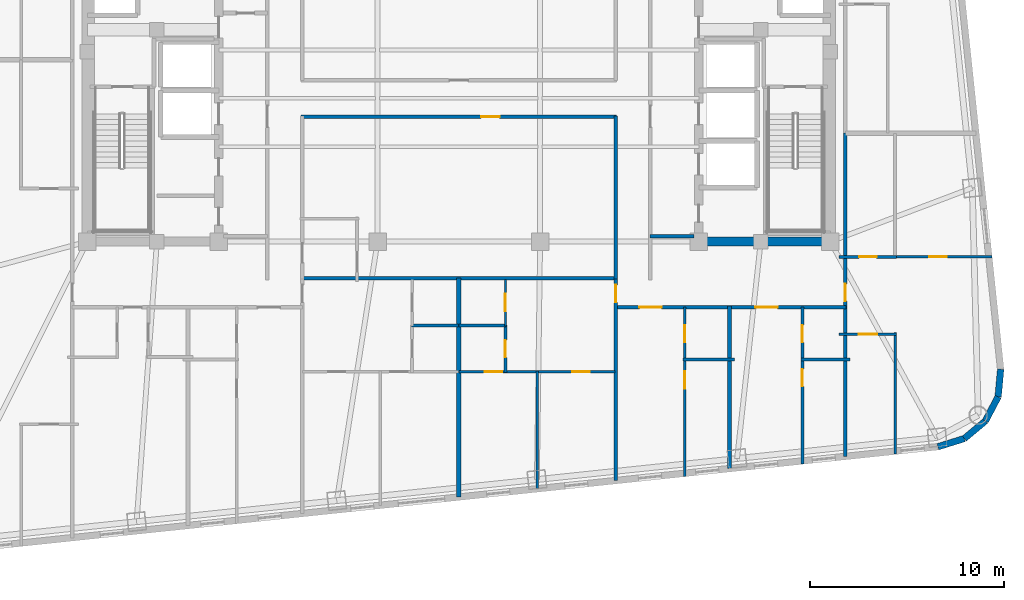
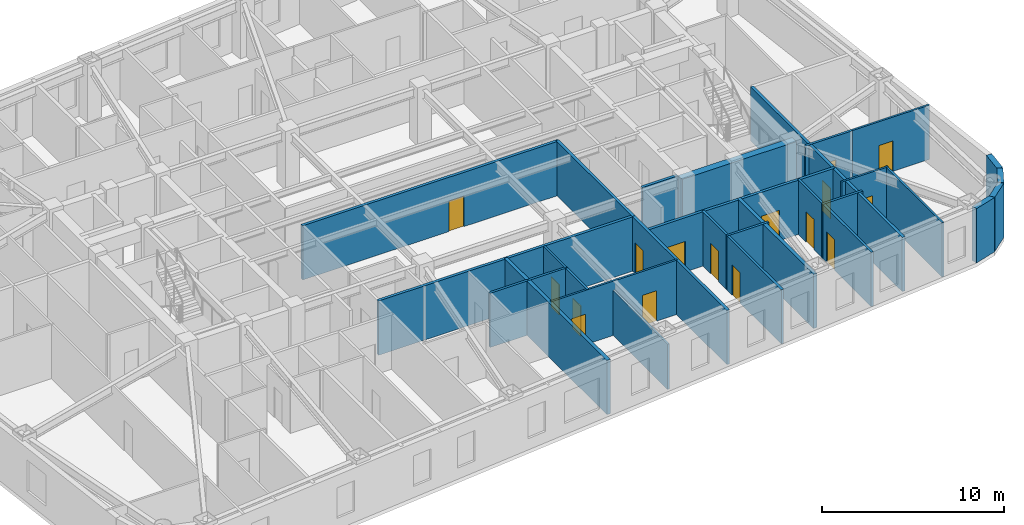
# One storey, part 5 of 11: 30 walls, 16 doors, 16 openings.
"""IFC4 building model written with IfcOpenShell, lengths in metres."""

from ifc_helpers import new_model, si_unit, direction, frame, frame_2d, origin, place, context, subcontext, project, spatial, rectangle, extrude, material, layer, layer_set, type_object, element, fill, save


model = new_model("IFC4")

# Units and contexts
model_context = context("Model", 3, precision=1e-05, world=origin(), true_north=direction((0.0, 1.0)))
body_context = subcontext(model_context, "Body", "Model", "MODEL_VIEW")
ifc_project = project(units=[si_unit("LENGTHUNIT", "METRE"), si_unit("AREAUNIT", "SQUARE_METRE"), si_unit("VOLUMEUNIT", "CUBIC_METRE"), si_unit("PLANEANGLEUNIT", "RADIAN"), si_unit("MASSUNIT", "GRAM", prefix="KILO")], contexts=[model_context])

# Site, building, storey
site_placement = place(None, origin())
site = spatial("IfcSite", under=ifc_project, at=site_placement, CompositionType="ELEMENT")
building_placement = place(site_placement, origin())
building = spatial("IfcBuilding", under=site, at=building_placement, Name="Voryun Gate Residences", CompositionType="ELEMENT")
storey_placement = place(building_placement, frame((0.0, 0.0, 175.5)))
storey = spatial("IfcBuildingStorey", under=building, at=storey_placement, Name="L43", CompositionType="ELEMENT", Elevation=175.5)

# Walls
ifc_material_1 = material(Name="Concrete C50/60", Category="concrete")
ifc_layer_1 = layer(ifc_material_1, 0.449951171875, Name="CW_CORE_450")
ifc_layer_set_1 = layer_set([ifc_layer_1], Name="Concrete C50/60")
wall_type_1 = type_object("IfcWallType", Name="CW_CORE_450", PredefinedType="SHEAR", material=ifc_layer_set_1)
wall_1_placement = place(storey_placement, frame((12.175048828125, -7.39990234375, 0.0), z_axis=(0.0, 0.0, 1.0), x_axis=(1.0, 0.0, 0.0)))
element("IfcWall", 1, at=wall_1_placement, inside=storey, type_object=wall_type_1, Name="L43 Core shear wall CW-L43-ES", PredefinedType="SHEAR", context=body_context, shape_type="SweptSolid", body=[
    extrude(rectangle(XDim=7.25, YDim=0.449951171875, at=frame_2d((3.625, 0.0))), origin(), (0.0, 0.0, 1.0), 3.64990234375),
])
ifc_material_2 = material(Name="Gypsum acoustic fireboard")
ifc_layer_2 = layer(ifc_material_2, 0.179931640625, Name="W_CORR_RATED_180")
ifc_layer_set_2 = layer_set([ifc_layer_2], Name="Gypsum acoustic fireboard")
wall_type_2 = type_object("IfcWallType", Name="W_CORR_RATED_180", PredefinedType="PARTITIONING", material=ifc_layer_set_2)
wall_2_placement = place(storey_placement, frame((9.8798828125, -7.1201171875, 0.0), z_axis=(0.0, 0.0, 1.0), x_axis=(1.0, 0.0, 0.0)))
element("IfcWall", 2, at=wall_2_placement, inside=storey, type_object=wall_type_2, Name="Partition wall WP-L43-PLBS-E", PredefinedType="PARTITIONING", context=body_context, shape_type="SweptSolid", body=[
    extrude(rectangle(XDim=2.27001953125, YDim=0.179931640625, at=frame_2d((1.135009765625, 0.0))), origin(), (0.0, 0.0, 1.0), 3.64990234375),
])
wall_3_placement = place(storey_placement, frame((-8.14990234375, -9.2900390625, 0.0), z_axis=(0.0, 0.0, 1.0), x_axis=(1.0, 0.0, 0.0)))
element("IfcWall", 3, at=wall_3_placement, inside=storey, type_object=wall_type_2, Name="Partition wall WP-L43-Z2S", PredefinedType="PARTITIONING", context=body_context, shape_type="SweptSolid", body=[
    extrude(rectangle(XDim=16.2998046875, YDim=0.179931640625, at=frame_2d((8.14990234375, 0.0))), origin(), (0.0, 0.0, 1.0), 3.64990234375),
])

# Wall, opening, door
wall_4_placement = place(storey_placement, frame((-8.14990234375, -0.93994140625, 0.0), z_axis=(0.0, 0.0, 1.0), x_axis=(1.0, 0.0, 0.0)))
wall_4 = element("IfcWall", 4, at=wall_4_placement, inside=storey, type_object=wall_type_2, Name="Partition wall WP-L43-Z2HS", PredefinedType="PARTITIONING", context=body_context, shape_type="SweptSolid", body=[
    extrude(rectangle(XDim=16.2998046875, YDim=0.179931640625, at=frame_2d((8.14990234375, 0.0))), origin(), (0.0, 0.0, 1.0), 3.64990234375),
])
opening_1_placement = place(wall_4_placement, frame((9.304931640625, 0.0, 0.0)))
opening_1 = element("IfcOpeningElement", 5, at=opening_1_placement, cuts=wall_4, Name="Opening D-INT-1", PredefinedType="OPENING", context=body_context, shape_type="SweptSolid", body=[
    extrude(rectangle(XDim=0.949951171875, YDim=2.050048828125, at=frame_2d((0.47509765625, 1.02490234375))), frame((0.0, 0.099853515625, 0.0), z_axis=(0.0, -1.0, 0.0), x_axis=(1.0, 0.0, 0.0)), (0.0, 0.0, 1.0), 0.199951171875),
])
ifc_material_3 = material(Name="Architectural oak veneer")
door_type_1 = type_object("IfcDoorType", Name="DR_INT_ROOM_950", OperationType="NOTDEFINED", PredefinedType="DOOR", material=ifc_material_3)
door_1_placement = place(opening_1_placement, origin())
door_1 = element("IfcDoor", 6, at=door_1_placement, inside=storey, type_object=door_type_1, Name="Door DR-L43-Z2SH", OperationType="SINGLE_SWING_RIGHT", OverallHeight=2.050048828125, OverallWidth=0.949951171875, PredefinedType="DOOR", context=body_context, shape_type="SweptSolid", body=[
    extrude(rectangle(XDim=0.949951171875, YDim=2.050048828125, at=frame_2d((0.47509765625, 1.02490234375))), frame((0.0, 0.02490234375, 0.0), z_axis=(0.0, -1.0, 0.0), x_axis=(1.0, 0.0, 0.0)), (0.0, 0.0, 1.0), 0.050048828125),
])
fill(opening_1, door_1)

# Wall
wall_5_placement = place(storey_placement, frame((8.10009765625, -9.330078125, 0.0), z_axis=(0.0, 0.0, 1.0), x_axis=(0.0, 1.0, 0.0)))
element("IfcWall", 7, at=wall_5_placement, inside=storey, type_object=wall_type_2, Name="Partition wall WP-L43-Z2ER2", PredefinedType="PARTITIONING", context=body_context, shape_type="SweptSolid", body=[
    extrude(rectangle(XDim=8.41015625, YDim=0.179931640625, at=frame_2d((4.205078125, 0.0))), origin(), (0.0, 0.0, 1.0), 3.64990234375),
])

# Wall, openings, doors
wall_6_placement = place(storey_placement, frame((8.080078125, -10.800048828125, 0.0), z_axis=(0.0, 0.0, 1.0), x_axis=(1.0, 0.0, 0.0)))
wall_6 = element("IfcWall", 8, at=wall_6_placement, inside=storey, type_object=wall_type_2, Name="Partition wall WP-L43-SCORR-E", PredefinedType="PARTITIONING", context=body_context, shape_type="SweptSolid", body=[
    extrude(rectangle(XDim=11.919921875, YDim=0.179931640625, at=frame_2d((5.9599609375, 0.0))), origin(), (0.0, 0.0, 1.0), 3.64990234375),
])
opening_2_placement = place(wall_6_placement, frame((1.251220703125, 0.0, 0.0)))
opening_2 = element("IfcOpeningElement", 9, at=opening_2_placement, cuts=wall_6, Name="Opening D-UNIT-1", PredefinedType="OPENING", context=body_context, shape_type="SweptSolid", body=[
    extrude(rectangle(XDim=1.14990234375, YDim=2.050048828125, at=frame_2d((0.574951171875, 1.02490234375))), frame((0.0, 0.099853515625, 0.0), z_axis=(0.0, -1.0, 0.0), x_axis=(1.0, 0.0, 0.0)), (0.0, 0.0, 1.0), 0.199951171875),
])
opening_3_placement = place(wall_6_placement, frame((7.244384765625, 0.0, 0.0)))
opening_3 = element("IfcOpeningElement", 10, at=opening_3_placement, cuts=wall_6, Name="Opening D-UNIT-1", PredefinedType="OPENING", context=body_context, shape_type="SweptSolid", body=[
    extrude(rectangle(XDim=1.14990234375, YDim=2.050048828125, at=frame_2d((0.574951171875, 1.02490234375))), frame((0.0, 0.099853515625, 0.0), z_axis=(0.0, -1.0, 0.0), x_axis=(1.0, 0.0, 0.0)), (0.0, 0.0, 1.0), 0.199951171875),
])
ifc_material_4 = material(Name="Armoured timber-clad fire door", Category="wood")
door_type_2 = type_object("IfcDoorType", Name="DR_UNIT_ENTRY_1150", OperationType="NOTDEFINED", PredefinedType="DOOR", material=ifc_material_4)
door_2_placement = place(opening_2_placement, origin())
door_2 = element("IfcDoor", 11, at=door_2_placement, inside=storey, type_object=door_type_2, Name="Door DR-L43-SENT-4", OperationType="SINGLE_SWING_LEFT", OverallHeight=2.050048828125, OverallWidth=1.14990234375, PredefinedType="DOOR", context=body_context, shape_type="SweptSolid", body=[
    extrude(rectangle(XDim=1.14990234375, YDim=2.050048828125, at=frame_2d((0.574951171875, 1.02490234375))), frame((0.0, 0.02490234375, 0.0), z_axis=(0.0, -1.0, 0.0), x_axis=(1.0, 0.0, 0.0)), (0.0, 0.0, 1.0), 0.050048828125),
])
fill(opening_2, door_2)
door_3_placement = place(opening_3_placement, origin())
door_3 = element("IfcDoor", 12, at=door_3_placement, inside=storey, type_object=door_type_2, Name="Door DR-L43-SENT-5", OperationType="SINGLE_SWING_RIGHT", OverallHeight=2.050048828125, OverallWidth=1.14990234375, PredefinedType="DOOR", context=body_context, shape_type="SweptSolid", body=[
    extrude(rectangle(XDim=1.14990234375, YDim=2.050048828125, at=frame_2d((0.574951171875, 1.02490234375))), frame((0.0, 0.02490234375, 0.0), z_axis=(0.0, -1.0, 0.0), x_axis=(1.0, 0.0, 0.0)), (0.0, 0.0, 1.0), 0.050048828125),
])
fill(opening_3, door_3)

# Wall, opening, door
wall_7_placement = place(storey_placement, frame((8.10009765625, -19.75390625, 0.0), z_axis=(0.0, 0.0, 1.0), x_axis=(0.0, 1.0, 0.0)))
wall_7 = element("IfcWall", 13, at=wall_7_placement, inside=storey, type_object=wall_type_2, Name="Partition wall WP-L43-SZV-2", PredefinedType="PARTITIONING", context=body_context, shape_type="SweptSolid", body=[
    extrude(rectangle(XDim=10.4638671875, YDim=0.179931640625, at=frame_2d((5.23193359375, 0.0))), origin(), (0.0, 0.0, 1.0), 3.64990234375),
])
opening_4_placement = place(wall_7_placement, frame((9.21337890625, 0.0, 0.0)))
opening_4 = element("IfcOpeningElement", 14, at=opening_4_placement, cuts=wall_7, Name="Opening D-INT-2", PredefinedType="OPENING", context=body_context, shape_type="SweptSolid", body=[
    extrude(rectangle(XDim=0.89990234375, YDim=2.050048828125, at=frame_2d((0.449951171875, 1.02490234375))), frame((0.0, 0.099853515625, 0.0), z_axis=(0.0, -1.0, 0.0), x_axis=(1.0, 0.0, 0.0)), (0.0, 0.0, 1.0), 0.199951171875),
])
ifc_material_5 = material(Name="Architectural oak veneer")
door_type_3 = type_object("IfcDoorType", Name="DR_INT_BATH_900", OperationType="NOTDEFINED", PredefinedType="DOOR", material=ifc_material_5)
door_4_placement = place(opening_4_placement, origin())
door_4 = element("IfcDoor", 15, at=door_4_placement, inside=storey, type_object=door_type_3, Name="Door DR-L43-SZENT-2", OperationType="SINGLE_SWING_RIGHT", OverallHeight=2.050048828125, OverallWidth=0.89990234375, PredefinedType="DOOR", context=body_context, shape_type="SweptSolid", body=[
    extrude(rectangle(XDim=0.89990234375, YDim=2.050048828125, at=frame_2d((0.449951171875, 1.02490234375))), frame((0.0, 0.02490234375, 0.0), z_axis=(0.0, -1.0, 0.0), x_axis=(1.0, 0.0, 0.0)), (0.0, 0.0, 1.0), 0.050048828125),
])
fill(opening_4, door_4)

wall_8_placement = place(storey_placement, frame((19.969970703125, -18.506103515625, 0.0), z_axis=(0.0, 0.0, 1.0), x_axis=(0.0, 1.0, 0.0)))
wall_8 = element("IfcWall", 16, at=wall_8_placement, inside=storey, type_object=wall_type_2, Name="Partition wall WP-L43-ECOR1", PredefinedType="PARTITIONING", context=body_context, shape_type="SweptSolid", body=[
    extrude(rectangle(XDim=16.7060546875, YDim=0.179931640625, at=frame_2d((8.35302734375, 0.0))), origin(), (0.0, 0.0, 1.0), 3.64990234375),
])
opening_5_placement = place(wall_8_placement, frame((8.026611328125, 0.0, 0.0)))
opening_5 = element("IfcOpeningElement", 17, at=opening_5_placement, cuts=wall_8, Name="Opening D-INT-2", PredefinedType="OPENING", context=body_context, shape_type="SweptSolid", body=[
    extrude(rectangle(XDim=0.89990234375, YDim=2.050048828125, at=frame_2d((0.449951171875, 1.02490234375))), frame((0.0, 0.099853515625, 0.0), z_axis=(0.0, -1.0, 0.0), x_axis=(1.0, 0.0, 0.0)), (0.0, 0.0, 1.0), 0.199951171875),
])
door_5_placement = place(opening_5_placement, origin())
door_5 = element("IfcDoor", 18, at=door_5_placement, inside=storey, type_object=door_type_3, Name="Door DR-L43-EE1", OperationType="SINGLE_SWING_LEFT", OverallHeight=2.050048828125, OverallWidth=0.89990234375, PredefinedType="DOOR", context=body_context, shape_type="SweptSolid", body=[
    extrude(rectangle(XDim=0.89990234375, YDim=2.050048828125, at=frame_2d((0.449951171875, 1.02490234375))), frame((0.0, 0.02490234375, 0.0), z_axis=(0.0, -1.0, 0.0), x_axis=(1.0, 0.0, 0.0)), (0.0, 0.0, 1.0), 0.050048828125),
])
fill(opening_5, door_5)

# Walls
ifc_material_6 = material(Name="Charcoal terracotta masonry", Category="masonry")
ifc_layer_3 = layer(ifc_material_6, 0.340087890625, Name="W_EXT_TERRACOTTA_340")
ifc_layer_set_3 = layer_set([ifc_layer_3], Name="Charcoal terracotta masonry")
wall_type_3 = type_object("IfcWallType", Name="W_EXT_TERRACOTTA_340", PredefinedType="ELEMENTEDWALL", material=ifc_layer_set_3)
wall_9_placement = place(storey_placement, frame((28.001220703125, -13.9951171875, 0.0), z_axis=(0.0, 0.0, 1.0), x_axis=(-0.091534682358, -0.995801888894, 0.0)))
element("IfcWall", 19, at=wall_9_placement, inside=storey, type_object=wall_type_3, Name="Exterior wall WEXT-L43-17", PredefinedType="ELEMENTEDWALL", context=body_context, shape_type="SweptSolid", body=[
    extrude(rectangle(XDim=1.432373046875, YDim=0.340087890625, at=frame_2d((0.71630859375, 0.0))), origin(), (0.0, 0.0, 1.0), 3.64990234375),
])
for number, where, z_axis, x_axis, name in (
    (20, (27.8701171875, -15.42138671875, 0.0), (0.0, 0.0, 1.0), (-0.465682431293, -0.884951904447, 0.0), "Exterior wall WEXT-L43-18"),
    (21, (27.211181640625, -16.673583984375, 0.0), (0.0, 0.0, 1.0), (-0.768758372808, -0.639539337522, 0.0), "Exterior wall WEXT-L43-19"),
):
    element("IfcWall", number, at=place(storey_placement, frame(where, z_axis=z_axis, x_axis=x_axis)), inside=storey, type_object=wall_type_3, Name=name, PredefinedType="ELEMENTEDWALL", context=body_context, shape_type="SweptSolid", body=[
        extrude(rectangle(XDim=1.4150390625, YDim=0.340087890625, at=frame_2d((0.70751953125, 0.0))), origin(), (0.0, 0.0, 1.0), 3.64990234375),
    ])
wall_10_placement = place(storey_placement, frame((26.123291015625, -17.57861328125, 0.0), z_axis=(0.0, 0.0, 1.0), x_axis=(-0.955042500381, -0.296468923271, 0.0)))
element("IfcWall", 22, at=wall_10_placement, inside=storey, type_object=wall_type_3, Name="Exterior wall WEXT-L43-20", PredefinedType="ELEMENTEDWALL", context=body_context, shape_type="SweptSolid", body=[
    extrude(rectangle(XDim=1.43212890625, YDim=0.340087890625, at=frame_2d((0.716064453125, 0.0))), origin(), (0.0, 0.0, 1.0), 3.64990234375),
])
ifc_material_7 = material(Name="Concrete C40/50", Category="concrete")
ifc_layer_4 = layer(ifc_material_7, 0.219970703125, Name="W_PARTY_ACOUSTIC_220")
ifc_layer_set_4 = layer_set([ifc_layer_4], Name="Concrete C40/50")
wall_type_4 = type_object("IfcWallType", Name="W_PARTY_ACOUSTIC_220", PredefinedType="PARTITIONING", material=ifc_layer_set_4)
wall_11_placement = place(storey_placement, frame((13.989990234375, -19.134765625, 0.0), z_axis=(0.0, 0.0, 1.0), x_axis=(0.0, 1.0, 0.0)))
element("IfcWall", 23, at=wall_11_placement, inside=storey, type_object=wall_type_4, Name="Partition wall WP-L43-SPTY-4", PredefinedType="PARTITIONING", context=body_context, shape_type="SweptSolid", body=[
    extrude(rectangle(XDim=8.414794921875, YDim=0.219970703125, at=frame_2d((4.20751953125, 0.0))), origin(), (0.0, 0.0, 1.0), 3.64990234375),
])
wall_12_placement = place(storey_placement, frame((0.0, -20.60498046875, 0.0), z_axis=(0.0, 0.0, 1.0), x_axis=(0.0, 1.0, 0.0)))
element("IfcWall", 24, at=wall_12_placement, inside=storey, type_object=wall_type_4, Name="Partition wall WP-L43-SZMID", PredefinedType="PARTITIONING", context=body_context, shape_type="SweptSolid", body=[
    extrude(rectangle(XDim=11.31494140625, YDim=0.219970703125, at=frame_2d((5.657470703125, 0.0))), origin(), (0.0, 0.0, 1.0), 3.64990234375),
])

# Wall, openings, doors
ifc_material_8 = material(Name="Gypsum acoustic partition")
ifc_layer_5 = layer(ifc_material_8, 0.125, Name="W_UNIT_PART_125")
ifc_layer_set_5 = layer_set([ifc_layer_5], Name="Gypsum acoustic partition")
wall_type_5 = type_object("IfcWallType", Name="W_UNIT_PART_125", PredefinedType="PARTITIONING", material=ifc_layer_set_5)
wall_13_placement = place(storey_placement, frame((0.02001953125, -14.1298828125, 0.0), z_axis=(0.0, 0.0, 1.0), x_axis=(1.0, 0.0, 0.0)))
wall_13 = element("IfcWall", 25, at=wall_13_placement, inside=storey, type_object=wall_type_5, Name="Partition wall WP-L43-SC2-HZ", PredefinedType="PARTITIONING", context=body_context, shape_type="SweptSolid", body=[
    extrude(rectangle(XDim=8.06005859375, YDim=0.125, at=frame_2d((4.030029296875, 0.0))), origin(), (0.0, 0.0, 1.0), 3.64990234375),
])
opening_6_placement = place(wall_13_placement, frame((1.3232421875, 0.0, 0.0)))
opening_6 = element("IfcOpeningElement", 26, at=opening_6_placement, cuts=wall_13, Name="Opening D-INT-2", PredefinedType="OPENING", context=body_context, shape_type="SweptSolid", body=[
    extrude(rectangle(XDim=0.89990234375, YDim=2.050048828125, at=frame_2d((0.449951171875, 1.02490234375))), frame((0.0, 0.072509765625, 0.0), z_axis=(0.0, -1.0, 0.0), x_axis=(1.0, 0.0, 0.0)), (0.0, 0.0, 1.0), 0.14501953125),
])
opening_7_placement = place(wall_13_placement, frame((5.8369140625, 0.0, 0.0)))
opening_7 = element("IfcOpeningElement", 27, at=opening_7_placement, cuts=wall_13, Name="Opening D-INT-2", PredefinedType="OPENING", context=body_context, shape_type="SweptSolid", body=[
    extrude(rectangle(XDim=0.89990234375, YDim=2.050048828125, at=frame_2d((0.449951171875, 1.02490234375))), frame((0.0, 0.072509765625, 0.0), z_axis=(0.0, -1.0, 0.0), x_axis=(1.0, 0.0, 0.0)), (0.0, 0.0, 1.0), 0.14501953125),
])
door_6_placement = place(opening_6_placement, origin())
door_6 = element("IfcDoor", 28, at=door_6_placement, inside=storey, type_object=door_type_3, Name="Door DR-L43-SC2-DMB", OperationType="SINGLE_SWING_LEFT", OverallHeight=2.050048828125, OverallWidth=0.89990234375, PredefinedType="DOOR", context=body_context, shape_type="SweptSolid", body=[
    extrude(rectangle(XDim=0.89990234375, YDim=2.050048828125, at=frame_2d((0.449951171875, 1.02490234375))), frame((0.0, 0.02490234375, 0.0), z_axis=(0.0, -1.0, 0.0), x_axis=(1.0, 0.0, 0.0)), (0.0, 0.0, 1.0), 0.050048828125),
])
fill(opening_6, door_6)
door_7_placement = place(opening_7_placement, origin())
door_7 = element("IfcDoor", 29, at=door_7_placement, inside=storey, type_object=door_type_3, Name="Door DR-L43-SC2-DBD2", OperationType="SINGLE_SWING_RIGHT", OverallHeight=2.050048828125, OverallWidth=0.89990234375, PredefinedType="DOOR", context=body_context, shape_type="SweptSolid", body=[
    extrude(rectangle(XDim=0.89990234375, YDim=2.050048828125, at=frame_2d((0.449951171875, 1.02490234375))), frame((0.0, 0.02490234375, 0.0), z_axis=(0.0, -1.0, 0.0), x_axis=(1.0, 0.0, 0.0)), (0.0, 0.0, 1.0), 0.050048828125),
])
fill(opening_7, door_7)

# Wall, opening, door
wall_14_placement = place(storey_placement, frame((2.409912109375, -11.760009765625, 0.0), z_axis=(0.0, 0.0, 1.0), x_axis=(0.0, 1.0, 0.0)))
wall_14 = element("IfcWall", 30, at=wall_14_placement, inside=storey, type_object=wall_type_5, Name="Partition wall WP-L43-SC2-VK1", PredefinedType="PARTITIONING", context=body_context, shape_type="SweptSolid", body=[
    extrude(rectangle(XDim=2.409912109375, YDim=0.125, at=frame_2d((1.205078125, 0.0))), origin(), (0.0, 0.0, 1.0), 3.64990234375),
])
opening_8_placement = place(wall_14_placement, frame((0.7548828125, 0.0, 0.0)))
opening_8 = element("IfcOpeningElement", 31, at=opening_8_placement, cuts=wall_14, Name="Opening D-INT-2", PredefinedType="OPENING", context=body_context, shape_type="SweptSolid", body=[
    extrude(rectangle(XDim=0.89990234375, YDim=2.050048828125, at=frame_2d((0.449951171875, 1.02490234375))), frame((0.0, 0.072509765625, 0.0), z_axis=(0.0, -1.0, 0.0), x_axis=(1.0, 0.0, 0.0)), (0.0, 0.0, 1.0), 0.14501953125),
])
door_8_placement = place(opening_8_placement, origin())
door_8 = element("IfcDoor", 32, at=door_8_placement, inside=storey, type_object=door_type_3, Name="Door DR-L43-SC2-DK", OperationType="SINGLE_SWING_LEFT", OverallHeight=2.050048828125, OverallWidth=0.89990234375, PredefinedType="DOOR", context=body_context, shape_type="SweptSolid", body=[
    extrude(rectangle(XDim=0.89990234375, YDim=2.050048828125, at=frame_2d((0.449951171875, 1.02490234375))), frame((0.0, 0.02490234375, 0.0), z_axis=(0.0, -1.0, 0.0), x_axis=(1.0, 0.0, 0.0)), (0.0, 0.0, 1.0), 0.050048828125),
])
fill(opening_8, door_8)

# Wall
wall_15_placement = place(storey_placement, frame((4.050048828125, -20.179443359375, 0.0), z_axis=(0.0, 0.0, 1.0), x_axis=(0.0, 1.0, 0.0)))
element("IfcWall", 33, at=wall_15_placement, inside=storey, type_object=wall_type_5, Name="Partition wall WP-L43-SC2-VBD", PredefinedType="PARTITIONING", context=body_context, shape_type="SweptSolid", body=[
    extrude(rectangle(XDim=6.08935546875, YDim=0.125, at=frame_2d((3.044677734375, 0.0))), origin(), (0.0, 0.0, 1.0), 3.0400390625),
])

# Wall, opening, door
wall_16_placement = place(storey_placement, frame((22.48193359375, -8.18798828125, 0.0), z_axis=(0.0, 0.0, 1.0), x_axis=(1.0, 0.0, 0.0)))
wall_16 = element("IfcWall", 34, at=wall_16_placement, inside=storey, type_object=wall_type_5, Name="Partition wall WP-L43-E1-OHZ", PredefinedType="PARTITIONING", context=body_context, shape_type="SweptSolid", body=[
    extrude(rectangle(XDim=5.0595703125, YDim=0.125, at=frame_2d((2.52978515625, 0.0))), origin(), (0.0, 0.0, 1.0), 3.64990234375),
])
opening_9_placement = place(wall_16_placement, frame((1.826904296875, 0.0, 0.0)))
opening_9 = element("IfcOpeningElement", 35, at=opening_9_placement, cuts=wall_16, Name="Opening D-INT-2", PredefinedType="OPENING", context=body_context, shape_type="SweptSolid", body=[
    extrude(rectangle(XDim=0.89990234375, YDim=2.050048828125, at=frame_2d((0.449951171875, 1.02490234375))), frame((0.0, 0.072509765625, 0.0), z_axis=(0.0, -1.0, 0.0), x_axis=(1.0, 0.0, 0.0)), (0.0, 0.0, 1.0), 0.14501953125),
])
door_9_placement = place(opening_9_placement, origin())
door_9 = element("IfcDoor", 36, at=door_9_placement, inside=storey, type_object=door_type_3, Name="Door DR-L43-E1-DMB", OperationType="SINGLE_SWING_LEFT", OverallHeight=2.050048828125, OverallWidth=0.89990234375, PredefinedType="DOOR", context=body_context, shape_type="SweptSolid", body=[
    extrude(rectangle(XDim=0.89990234375, YDim=2.050048828125, at=frame_2d((0.449951171875, 1.02490234375))), frame((0.0, 0.02490234375, 0.0), z_axis=(0.0, -1.0, 0.0), x_axis=(1.0, 0.0, 0.0)), (0.0, 0.0, 1.0), 0.050048828125),
])
fill(opening_9, door_9)

wall_17_placement = place(storey_placement, frame((19.64990234375, -12.18505859375, 0.0), z_axis=(0.0, 0.0, 1.0), x_axis=(1.0, 0.0, 0.0)))
wall_17 = element("IfcWall", 37, at=wall_17_placement, inside=storey, type_object=wall_type_5, Name="Partition wall WP-L43-E1-IKA", PredefinedType="PARTITIONING", context=body_context, shape_type="SweptSolid", body=[
    extrude(rectangle(XDim=2.97216796875, YDim=0.125, at=frame_2d((1.486083984375, 0.0))), origin(), (0.0, 0.0, 1.0), 3.64990234375),
])
opening_10_placement = place(wall_17_placement, frame((1.010986328125, 0.0, 0.0)))
opening_10 = element("IfcOpeningElement", 38, at=opening_10_placement, cuts=wall_17, Name="Opening D-INT-1", PredefinedType="OPENING", context=body_context, shape_type="SweptSolid", body=[
    extrude(rectangle(XDim=0.949951171875, YDim=2.050048828125, at=frame_2d((0.47509765625, 1.02490234375))), frame((0.0, 0.072509765625, 0.0), z_axis=(0.0, -1.0, 0.0), x_axis=(1.0, 0.0, 0.0)), (0.0, 0.0, 1.0), 0.14501953125),
])
door_10_placement = place(opening_10_placement, origin())
door_10 = element("IfcDoor", 39, at=door_10_placement, inside=storey, type_object=door_type_1, Name="Door DR-L43-E1-DK", OperationType="SINGLE_SWING_LEFT", OverallHeight=2.050048828125, OverallWidth=0.949951171875, PredefinedType="DOOR", context=body_context, shape_type="SweptSolid", body=[
    extrude(rectangle(XDim=0.949951171875, YDim=2.050048828125, at=frame_2d((0.47509765625, 1.02490234375))), frame((0.0, 0.02490234375, 0.0), z_axis=(0.0, -1.0, 0.0), x_axis=(1.0, 0.0, 0.0)), (0.0, 0.0, 1.0), 0.050048828125),
])
fill(opening_10, door_10)

# Walls
wall_18_placement = place(storey_placement, frame((22.5419921875, -18.38671875, 0.0), z_axis=(0.0, 0.0, 1.0), x_axis=(0.0, 1.0, 0.0)))
element("IfcWall", 40, at=wall_18_placement, inside=storey, type_object=wall_type_5, Name="Partition wall WP-L43-E1-VTA", PredefinedType="PARTITIONING", context=body_context, shape_type="SweptSolid", body=[
    extrude(rectangle(XDim=6.28173828125, YDim=0.125, at=frame_2d((3.140869140625, 0.0))), origin(), (0.0, 0.0, 1.0), 3.64990234375),
])
ifc_material_9 = material(Name="Gypsum moisture-resistant partition")
ifc_layer_6 = layer(ifc_material_9, 0.14990234375, Name="W_WET_PLUMB_150")
ifc_layer_set_6 = layer_set([ifc_layer_6], Name="Gypsum moisture-resistant partition")
wall_type_6 = type_object("IfcWallType", Name="W_WET_PLUMB_150", PredefinedType="PLUMBINGWALL", material=ifc_layer_set_6)
wall_19_placement = place(storey_placement, frame((11.592041015625, -13.5, 0.0), z_axis=(0.0, 0.0, 1.0), x_axis=(1.0, 0.0, 0.0)))
element("IfcWall", 41, at=wall_19_placement, inside=storey, type_object=wall_type_6, Name="Partition wall WP-L43-S4-SKB", PredefinedType="PLUMBINGWALL", context=body_context, shape_type="SweptSolid", body=[
    extrude(rectangle(XDim=2.657958984375, YDim=0.14990234375, at=frame_2d((1.3291015625, 0.0))), origin(), (0.0, 0.0, 1.0), 3.64990234375),
])

# Wall, opening, door
wall_20_placement = place(storey_placement, frame((11.672119140625, -19.529052734375, 0.0), z_axis=(0.0, 0.0, 1.0), x_axis=(0.0, 1.0, 0.0)))
wall_20 = element("IfcWall", 42, at=wall_20_placement, inside=storey, type_object=wall_type_6, Name="Partition wall WP-L43-S4-SVT1", PredefinedType="PLUMBINGWALL", context=body_context, shape_type="SweptSolid", body=[
    extrude(rectangle(XDim=6.069091796875, YDim=0.14990234375, at=frame_2d((3.03466796875, 0.0))), origin(), (0.0, 0.0, 1.0), 3.64990234375),
])
opening_11_placement = place(wall_20_placement, frame((4.526611328125, 0.0, 0.0)))
opening_11 = element("IfcOpeningElement", 43, at=opening_11_placement, cuts=wall_20, Name="Opening D-INT-2", PredefinedType="OPENING", context=body_context, shape_type="SweptSolid", body=[
    extrude(rectangle(XDim=0.89990234375, YDim=2.050048828125, at=frame_2d((0.449951171875, 1.02490234375))), frame((0.0, 0.0849609375, 0.0), z_axis=(0.0, -1.0, 0.0), x_axis=(1.0, 0.0, 0.0)), (0.0, 0.0, 1.0), 0.169921875),
])
door_11_placement = place(opening_11_placement, origin())
door_11 = element("IfcDoor", 44, at=door_11_placement, inside=storey, type_object=door_type_3, Name="Door DR-L43-S4-DK", OperationType="SINGLE_SWING_LEFT", OverallHeight=2.050048828125, OverallWidth=0.89990234375, PredefinedType="DOOR", context=body_context, shape_type="SweptSolid", body=[
    extrude(rectangle(XDim=0.89990234375, YDim=2.050048828125, at=frame_2d((0.449951171875, 1.02490234375))), frame((0.0, 0.02490234375, 0.0), z_axis=(0.0, -1.0, 0.0), x_axis=(1.0, 0.0, 0.0)), (0.0, 0.0, 1.0), 0.050048828125),
])
fill(opening_11, door_11)

wall_21_placement = place(storey_placement, frame((11.672119140625, -13.5400390625, 0.0), z_axis=(0.0, 0.0, 1.0), x_axis=(0.0, 1.0, 0.0)))
wall_21 = element("IfcWall", 45, at=wall_21_placement, inside=storey, type_object=wall_type_6, Name="Partition wall WP-L43-S4-SVT2", PredefinedType="PLUMBINGWALL", context=body_context, shape_type="SweptSolid", body=[
    extrude(rectangle(XDim=2.760009765625, YDim=0.14990234375, at=frame_2d((1.3798828125, 0.0))), origin(), (0.0, 0.0, 1.0), 3.64990234375),
])
opening_12_placement = place(wall_21_placement, frame((0.929931640625, 0.0, 0.0)))
opening_12 = element("IfcOpeningElement", 46, at=opening_12_placement, cuts=wall_21, Name="Opening D-INT-2", PredefinedType="OPENING", context=body_context, shape_type="SweptSolid", body=[
    extrude(rectangle(XDim=0.89990234375, YDim=2.050048828125, at=frame_2d((0.449951171875, 1.02490234375))), frame((0.0, 0.0849609375, 0.0), z_axis=(0.0, -1.0, 0.0), x_axis=(1.0, 0.0, 0.0)), (0.0, 0.0, 1.0), 0.169921875),
])
door_12_placement = place(opening_12_placement, origin())
door_12 = element("IfcDoor", 47, at=door_12_placement, inside=storey, type_object=door_type_3, Name="Door DR-L43-S4-DB", OperationType="SINGLE_SWING_RIGHT", OverallHeight=2.050048828125, OverallWidth=0.89990234375, PredefinedType="DOOR", context=body_context, shape_type="SweptSolid", body=[
    extrude(rectangle(XDim=0.89990234375, YDim=2.050048828125, at=frame_2d((0.449951171875, 1.02490234375))), frame((0.0, 0.02490234375, 0.0), z_axis=(0.0, -1.0, 0.0), x_axis=(1.0, 0.0, 0.0)), (0.0, 0.0, 1.0), 0.050048828125),
])
fill(opening_12, door_12)

# Wall
wall_22_placement = place(storey_placement, frame((17.669921875, -13.5, 0.0), z_axis=(0.0, 0.0, 1.0), x_axis=(1.0, 0.0, 0.0)))
element("IfcWall", 48, at=wall_22_placement, inside=storey, type_object=wall_type_6, Name="Partition wall WP-L43-S5-SKB", PredefinedType="PLUMBINGWALL", context=body_context, shape_type="SweptSolid", body=[
    extrude(rectangle(XDim=2.550048828125, YDim=0.14990234375, at=frame_2d((1.27490234375, 0.0))), origin(), (0.0, 0.0, 1.0), 3.64990234375),
])

# Wall, opening, door
wall_23_placement = place(storey_placement, frame((17.75, -18.890380859375, 0.0), z_axis=(0.0, 0.0, 1.0), x_axis=(0.0, 1.0, 0.0)))
wall_23 = element("IfcWall", 49, at=wall_23_placement, inside=storey, type_object=wall_type_6, Name="Partition wall WP-L43-S5-SVT1", PredefinedType="PLUMBINGWALL", context=body_context, shape_type="SweptSolid", body=[
    extrude(rectangle(XDim=5.430419921875, YDim=0.14990234375, at=frame_2d((2.71533203125, 0.0))), origin(), (0.0, 0.0, 1.0), 3.64990234375),
])
opening_13_placement = place(wall_23_placement, frame((4.002685546875, 0.0, 0.0)))
opening_13 = element("IfcOpeningElement", 50, at=opening_13_placement, cuts=wall_23, Name="Opening D-INT-2", PredefinedType="OPENING", context=body_context, shape_type="SweptSolid", body=[
    extrude(rectangle(XDim=0.89990234375, YDim=2.050048828125, at=frame_2d((0.449951171875, 1.02490234375))), frame((0.0, 0.0849609375, 0.0), z_axis=(0.0, -1.0, 0.0), x_axis=(1.0, 0.0, 0.0)), (0.0, 0.0, 1.0), 0.169921875),
])
door_13_placement = place(opening_13_placement, origin())
door_13 = element("IfcDoor", 51, at=door_13_placement, inside=storey, type_object=door_type_3, Name="Door DR-L43-S5-DK", OperationType="SINGLE_SWING_LEFT", OverallHeight=2.050048828125, OverallWidth=0.89990234375, PredefinedType="DOOR", context=body_context, shape_type="SweptSolid", body=[
    extrude(rectangle(XDim=0.89990234375, YDim=2.050048828125, at=frame_2d((0.449951171875, 1.02490234375))), frame((0.0, 0.02490234375, 0.0), z_axis=(0.0, -1.0, 0.0), x_axis=(1.0, 0.0, 0.0)), (0.0, 0.0, 1.0), 0.050048828125),
])
fill(opening_13, door_13)

wall_24_placement = place(storey_placement, frame((17.75, -13.5400390625, 0.0), z_axis=(0.0, 0.0, 1.0), x_axis=(0.0, 1.0, 0.0)))
wall_24 = element("IfcWall", 52, at=wall_24_placement, inside=storey, type_object=wall_type_6, Name="Partition wall WP-L43-S5-SVT2", PredefinedType="PLUMBINGWALL", context=body_context, shape_type="SweptSolid", body=[
    extrude(rectangle(XDim=2.760009765625, YDim=0.14990234375, at=frame_2d((1.3798828125, 0.0))), origin(), (0.0, 0.0, 1.0), 3.64990234375),
])
opening_14_placement = place(wall_24_placement, frame((0.929931640625, 0.0, 0.0)))
opening_14 = element("IfcOpeningElement", 53, at=opening_14_placement, cuts=wall_24, Name="Opening D-INT-2", PredefinedType="OPENING", context=body_context, shape_type="SweptSolid", body=[
    extrude(rectangle(XDim=0.89990234375, YDim=2.050048828125, at=frame_2d((0.449951171875, 1.02490234375))), frame((0.0, 0.0849609375, 0.0), z_axis=(0.0, -1.0, 0.0), x_axis=(1.0, 0.0, 0.0)), (0.0, 0.0, 1.0), 0.169921875),
])
door_14_placement = place(opening_14_placement, origin())
door_14 = element("IfcDoor", 54, at=door_14_placement, inside=storey, type_object=door_type_3, Name="Door DR-L43-S5-DB", OperationType="SINGLE_SWING_RIGHT", OverallHeight=2.050048828125, OverallWidth=0.89990234375, PredefinedType="DOOR", context=body_context, shape_type="SweptSolid", body=[
    extrude(rectangle(XDim=0.89990234375, YDim=2.050048828125, at=frame_2d((0.449951171875, 1.02490234375))), frame((0.0, 0.02490234375, 0.0), z_axis=(0.0, -1.0, 0.0), x_axis=(1.0, 0.0, 0.0)), (0.0, 0.0, 1.0), 0.050048828125),
])
fill(opening_14, door_14)

# Wall
wall_25_placement = place(storey_placement, frame((-2.449951171875, -11.72998046875, 0.0), z_axis=(0.0, 0.0, 1.0), x_axis=(1.0, 0.0, 0.0)))
element("IfcWall", 55, at=wall_25_placement, inside=storey, type_object=wall_type_6, Name="Partition wall WP-L43-SC1-HKB", PredefinedType="PLUMBINGWALL", context=body_context, shape_type="SweptSolid", body=[
    extrude(rectangle(XDim=2.429931640625, YDim=0.14990234375, at=frame_2d((1.21484375, 0.0))), origin(), (0.0, 0.0, 1.0), 3.64990234375),
])

# Wall, opening, door
wall_26_placement = place(storey_placement, frame((2.409912109375, -14.169921875, 0.0), z_axis=(0.0, 0.0, 1.0), x_axis=(0.0, 1.0, 0.0)))
wall_26 = element("IfcWall", 56, at=wall_26_placement, inside=storey, type_object=wall_type_6, Name="Partition wall WP-L43-SC2-VK2", PredefinedType="PLUMBINGWALL", context=body_context, shape_type="SweptSolid", body=[
    extrude(rectangle(XDim=2.469970703125, YDim=0.14990234375, at=frame_2d((1.23486328125, 0.0))), origin(), (0.0, 0.0, 1.0), 3.64990234375),
])
opening_15_placement = place(wall_26_placement, frame((0.784912109375, 0.0, 0.0)))
opening_15 = element("IfcOpeningElement", 57, at=opening_15_placement, cuts=wall_26, Name="Opening D-INT-2", PredefinedType="OPENING", context=body_context, shape_type="SweptSolid", body=[
    extrude(rectangle(XDim=0.89990234375, YDim=2.050048828125, at=frame_2d((0.449951171875, 1.02490234375))), frame((0.0, 0.0849609375, 0.0), z_axis=(0.0, -1.0, 0.0), x_axis=(1.0, 0.0, 0.0)), (0.0, 0.0, 1.0), 0.169921875),
])
door_15_placement = place(opening_15_placement, origin())
door_15 = element("IfcDoor", 58, at=door_15_placement, inside=storey, type_object=door_type_3, Name="Door DR-L43-SC2-DB", OperationType="SINGLE_SWING_RIGHT", OverallHeight=2.050048828125, OverallWidth=0.89990234375, PredefinedType="DOOR", context=body_context, shape_type="SweptSolid", body=[
    extrude(rectangle(XDim=0.89990234375, YDim=2.050048828125, at=frame_2d((0.449951171875, 1.02490234375))), frame((0.0, 0.02490234375, 0.0), z_axis=(0.0, -1.0, 0.0), x_axis=(1.0, 0.0, 0.0)), (0.0, 0.0, 1.0), 0.050048828125),
])
fill(opening_15, door_15)

# Wall
wall_27_placement = place(storey_placement, frame((0.02001953125, -11.72998046875, 0.0), z_axis=(0.0, 0.0, 1.0), x_axis=(1.0, 0.0, 0.0)))
element("IfcWall", 59, at=wall_27_placement, inside=storey, type_object=wall_type_6, Name="Partition wall WP-L43-SC2-HKB", PredefinedType="PLUMBINGWALL", context=body_context, shape_type="SweptSolid", body=[
    extrude(rectangle(XDim=2.429931640625, YDim=0.14990234375, at=frame_2d((1.21484375, 0.0))), origin(), (0.0, 0.0, 1.0), 3.64990234375),
])

# Wall, opening, door
wall_28_placement = place(storey_placement, frame((19.64990234375, -8.18798828125, 0.0), z_axis=(0.0, 0.0, 1.0), x_axis=(1.0, 0.0, 0.0)))
wall_28 = element("IfcWall", 60, at=wall_28_placement, inside=storey, type_object=wall_type_6, Name="Partition wall WP-L43-E1-IBB", PredefinedType="PLUMBINGWALL", context=body_context, shape_type="SweptSolid", body=[
    extrude(rectangle(XDim=2.97216796875, YDim=0.14990234375, at=frame_2d((1.486083984375, 0.0))), origin(), (0.0, 0.0, 1.0), 3.64990234375),
])
opening_16_placement = place(wall_28_placement, frame((1.035888671875, 0.0, 0.0)))
opening_16 = element("IfcOpeningElement", 61, at=opening_16_placement, cuts=wall_28, Name="Opening D-INT-2", PredefinedType="OPENING", context=body_context, shape_type="SweptSolid", body=[
    extrude(rectangle(XDim=0.89990234375, YDim=2.050048828125, at=frame_2d((0.449951171875, 1.02490234375))), frame((0.0, 0.0849609375, 0.0), z_axis=(0.0, -1.0, 0.0), x_axis=(1.0, 0.0, 0.0)), (0.0, 0.0, 1.0), 0.169921875),
])
door_16_placement = place(opening_16_placement, origin())
door_16 = element("IfcDoor", 62, at=door_16_placement, inside=storey, type_object=door_type_3, Name="Door DR-L43-E1-DB", OperationType="SINGLE_SWING_RIGHT", OverallHeight=2.050048828125, OverallWidth=0.89990234375, PredefinedType="DOOR", context=body_context, shape_type="SweptSolid", body=[
    extrude(rectangle(XDim=0.89990234375, YDim=2.050048828125, at=frame_2d((0.449951171875, 1.02490234375))), frame((0.0, 0.02490234375, 0.0), z_axis=(0.0, -1.0, 0.0), x_axis=(1.0, 0.0, 0.0)), (0.0, 0.0, 1.0), 0.050048828125),
])
fill(opening_16, door_16)

save(model, "model.ifc")
